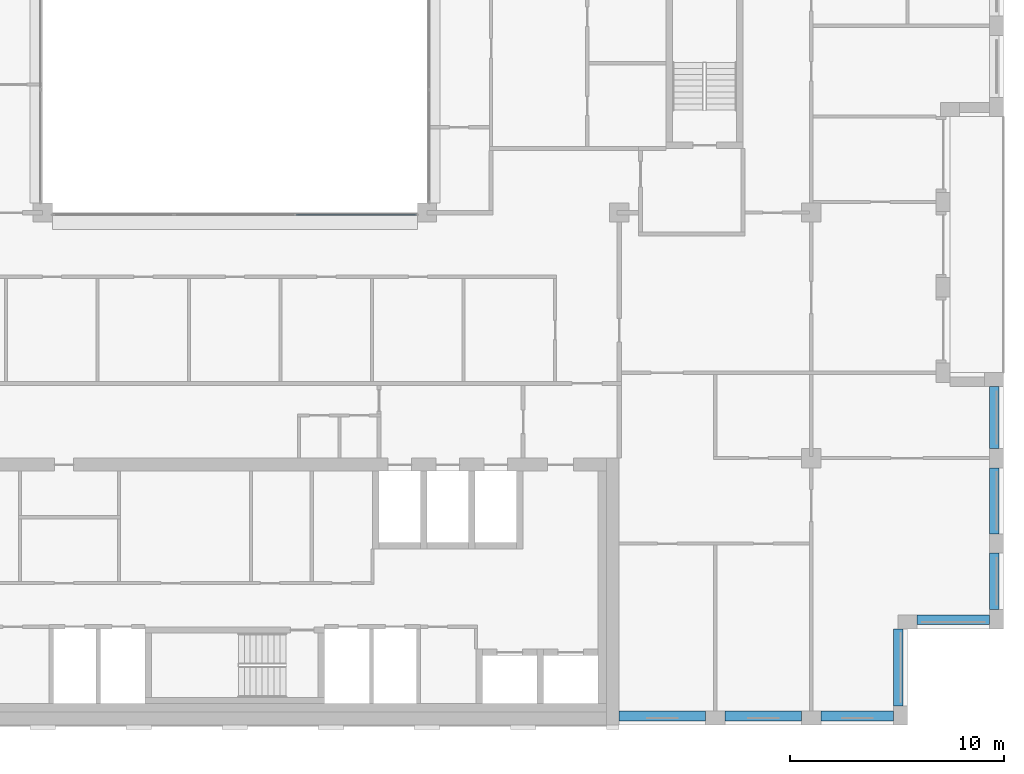
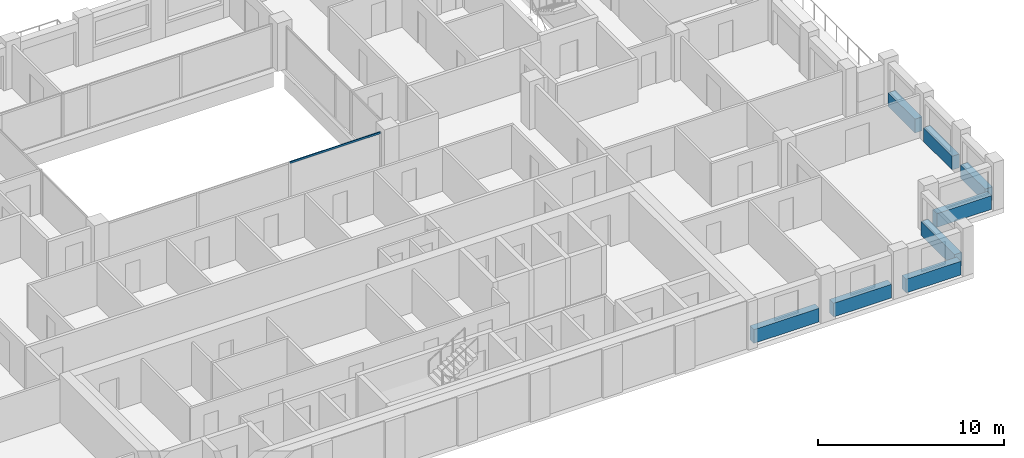
# One storey, part 3 of 15: 8 beams, 1 member, 1 element without a shape of its own.
"""IFC4 building model written with IfcOpenShell, lengths in metres."""

from ifc_helpers import new_model, si_unit, direction, frame, origin, origin_2d, place, context, subcontext, project, spatial, rectangle, extrude, material, layer, layer_set, material_profile, profile_set, type_object, element, aggregate, save


model = new_model("IFC4")

# Units and contexts
model_context = context("Model", 3, precision=1e-05, world=origin(), true_north=direction((0.0, 1.0)))
body_context = subcontext(model_context, "Body", "Model", "MODEL_VIEW")
ifc_project = project(units=[si_unit("LENGTHUNIT", "METRE"), si_unit("AREAUNIT", "SQUARE_METRE"), si_unit("VOLUMEUNIT", "CUBIC_METRE"), si_unit("PLANEANGLEUNIT", "RADIAN"), si_unit("MASSUNIT", "GRAM", prefix="KILO")], contexts=[model_context])

# Site, building, storey
site_placement = place(None, origin())
site = spatial("IfcSite", under=ifc_project, at=site_placement, CompositionType="ELEMENT")
building_placement = place(site_placement, origin())
building = spatial("IfcBuilding", under=site, at=building_placement, Name="Brigalow Station Residences", CompositionType="ELEMENT")
storey_placement = place(building_placement, frame((0.0, 0.0, 216.89990234375)))
storey = spatial("IfcBuildingStorey", under=building, at=storey_placement, Name="L62", CompositionType="ELEMENT", Elevation=216.89990234375)

# Curtain wall, member
ifc_material_1 = material(Name="Aluminium", Category="aluminium")
ifc_layer = layer(ifc_material_1, 0.14990234375)
ifc_layer_set = layer_set([ifc_layer], Name="ATRIUM FIRE-RATED GLAZING CURTAIN WALL")
curtain_wall_type = type_object("IfcCurtainWallType", Name="ATRIUM FIRE-RATED GLAZING CURTAIN WALL", PredefinedType="NOTDEFINED", material=ifc_layer_set)
curtain_wall_placement = place(storey_placement, origin())
curtain_wall = element("IfcCurtainWall", 1, at=curtain_wall_placement, inside=storey, type_object=curtain_wall_type, Name="L62/cw/atrium-S", PredefinedType="NOTDEFINED")
ifc_material_2 = material(Name="Aluminium", Category="aluminium")
ifc_material_profile_1 = material_profile(ifc_material_2, rectangle(XDim=0.06005859375, YDim=0.1201171875, at=origin_2d()), Name="ATRIUM FIRE-RATED GLAZING TRANSOM 60x120")
ifc_profile_set_1 = profile_set([ifc_material_profile_1], Name="Aluminium")
member_type = type_object("IfcMemberType", Name="ATRIUM FIRE-RATED GLAZING TRANSOM 60x120", PredefinedType="USERDEFINED", material=ifc_profile_set_1)
member_placement = place(storey_placement, frame((38.8798828125, 23.89990234375, 2.800048828125), z_axis=(1.0, 0.0, 0.0), x_axis=(0.0, 1.0, 0.0)))
member = element("IfcMember", 2, at=member_placement, type_object=member_type, Name="L62/cw/atrium-S/T02-00", ObjectType="TRANSOM", PredefinedType="USERDEFINED", context=body_context, shape_type="SweptSolid", body=[
    extrude(rectangle(XDim=0.06005859375, YDim=0.1201171875, at=origin_2d()), origin(), (0.0, 0.0, 1.0), 5.610107421875),
])
aggregate(curtain_wall, [member])

# Beams
ifc_material_3 = material(Name="Concrete C50", Category="concrete")
ifc_material_profile_2 = material_profile(ifc_material_3, rectangle(XDim=0.449951171875, YDim=0.89990234375, at=origin_2d()), Name="RC450x900")
ifc_profile_set_2 = profile_set([ifc_material_profile_2], Name="Concrete C50")
beam_type = type_object("IfcBeamType", Name="SPANDREL BEAM 450x900 C50", PredefinedType="SPANDREL", material=ifc_profile_set_2)
beam_1_placement = place(storey_placement, frame((54.0, 0.425048828125, 0.4501953125), z_axis=(1.0, 0.0, 0.0), x_axis=(0.0, 1.0, 0.0)))
element("IfcBeam", 3, at=beam_1_placement, inside=storey, type_object=beam_type, Name="L62/spandrel/W-L62-3", PredefinedType="SPANDREL", context=body_context, shape_type="SweptSolid", body=[
    extrude(rectangle(XDim=0.449951171875, YDim=0.89990234375, at=origin_2d()), origin(), (0.0, 0.0, 1.0), 4.050048828125),
])
beam_2_placement = place(storey_placement, frame((58.949951171875, 0.425048828125, 0.4501953125), z_axis=(1.0, 0.0, 0.0), x_axis=(0.0, 1.0, 0.0)))
element("IfcBeam", 4, at=beam_2_placement, inside=storey, type_object=beam_type, Name="L62/spandrel/W-L62-4", PredefinedType="SPANDREL", context=body_context, shape_type="SweptSolid", body=[
    extrude(rectangle(XDim=0.449951171875, YDim=0.89990234375, at=origin_2d()), origin(), (0.0, 0.0, 1.0), 3.60009765625),
])
beam_3_placement = place(storey_placement, frame((63.449951171875, 0.425048828125, 0.4501953125), z_axis=(1.0, 0.0, 0.0), x_axis=(0.0, 1.0, 0.0)))
element("IfcBeam", 5, at=beam_3_placement, inside=storey, type_object=beam_type, Name="L62/spandrel/W-L62-5", PredefinedType="SPANDREL", context=body_context, shape_type="SweptSolid", body=[
    extrude(rectangle(XDim=0.449951171875, YDim=0.89990234375, at=origin_2d()), origin(), (0.0, 0.0, 1.0), 3.400146484375),
])
beam_4_placement = place(storey_placement, frame((67.074951171875, 0.89990234375, 0.4501953125), z_axis=(0.0, 1.0, 0.0), x_axis=(-1.0, 0.0, 0.0)))
element("IfcBeam", 6, at=beam_4_placement, inside=storey, type_object=beam_type, Name="L62/spandrel/W-L62-6", PredefinedType="SPANDREL", context=body_context, shape_type="SweptSolid", body=[
    extrude(rectangle(XDim=0.449951171875, YDim=0.89990234375, at=origin_2d()), origin(), (0.0, 0.0, 1.0), 3.60009765625),
])
beam_5_placement = place(storey_placement, frame((67.949951171875, 4.925048828125, 0.4501953125), z_axis=(1.0, 0.0, 0.0), x_axis=(0.0, 1.0, 0.0)))
element("IfcBeam", 7, at=beam_5_placement, inside=storey, type_object=beam_type, Name="L62/spandrel/W-L62-7", PredefinedType="SPANDREL", context=body_context, shape_type="SweptSolid", body=[
    extrude(rectangle(XDim=0.449951171875, YDim=0.89990234375, at=origin_2d()), origin(), (0.0, 0.0, 1.0), 3.400146484375),
])
beam_6_placement = place(storey_placement, frame((71.574951171875, 5.39990234375, 0.4501953125), z_axis=(0.0, 1.0, 0.0), x_axis=(-1.0, 0.0, 0.0)))
element("IfcBeam", 8, at=beam_6_placement, inside=storey, type_object=beam_type, Name="L62/spandrel/W-L62-8", PredefinedType="SPANDREL", context=body_context, shape_type="SweptSolid", body=[
    extrude(rectangle(XDim=0.449951171875, YDim=0.89990234375, at=origin_2d()), origin(), (0.0, 0.0, 1.0), 2.650146484375),
])
beam_7_placement = place(storey_placement, frame((71.574951171875, 8.949951171875, 0.4501953125), z_axis=(0.0, 1.0, 0.0), x_axis=(-1.0, 0.0, 0.0)))
element("IfcBeam", 9, at=beam_7_placement, inside=storey, type_object=beam_type, Name="L62/spandrel/W-L62-9", PredefinedType="SPANDREL", context=body_context, shape_type="SweptSolid", body=[
    extrude(rectangle(XDim=0.449951171875, YDim=0.89990234375, at=origin_2d()), origin(), (0.0, 0.0, 1.0), 3.10009765625),
])
beam_8_placement = place(storey_placement, frame((71.574951171875, 12.949951171875, 0.4501953125), z_axis=(0.0, 1.0, 0.0), x_axis=(-1.0, 0.0, 0.0)))
element("IfcBeam", 10, at=beam_8_placement, inside=storey, type_object=beam_type, Name="L62/spandrel/W-L62-10", PredefinedType="SPANDREL", context=body_context, shape_type="SweptSolid", body=[
    extrude(rectangle(XDim=0.449951171875, YDim=0.89990234375, at=origin_2d()), origin(), (0.0, 0.0, 1.0), 2.900146484375),
])

save(model, "model.ifc")
